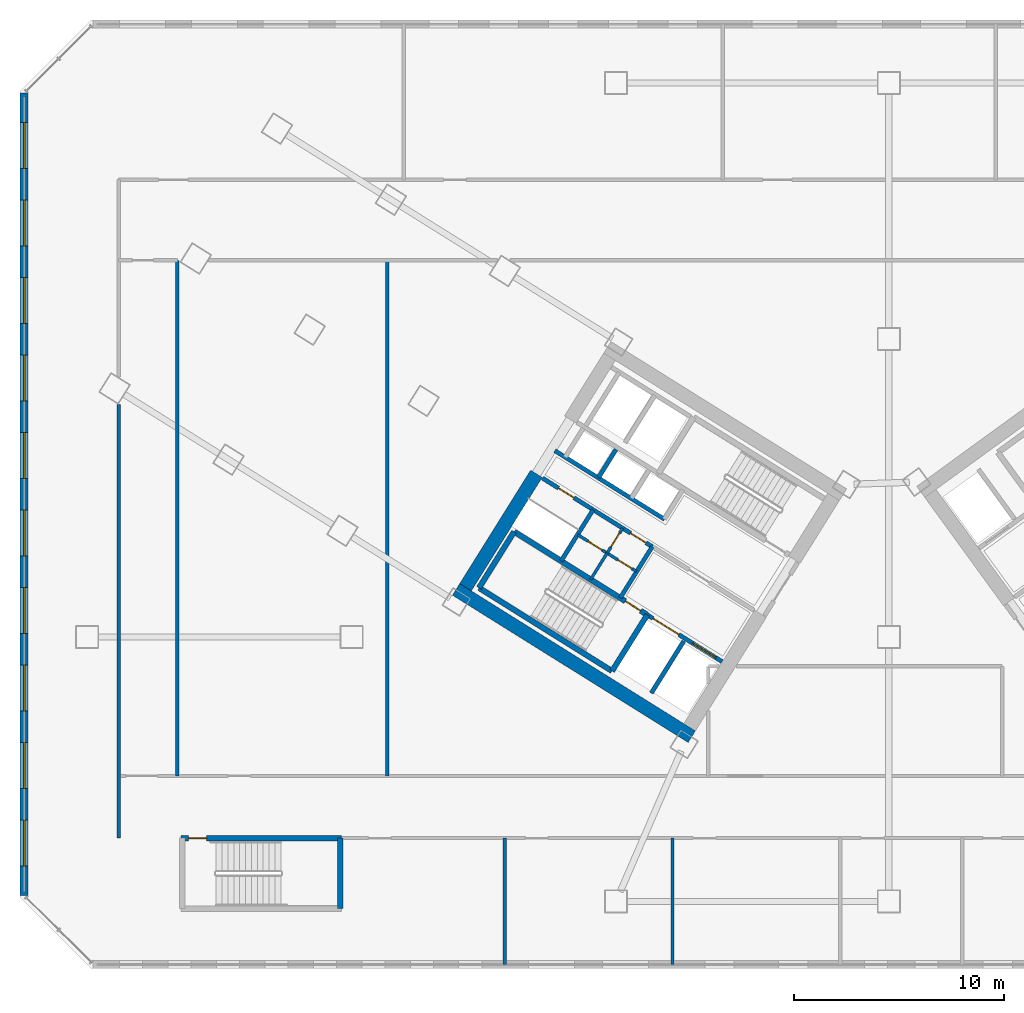
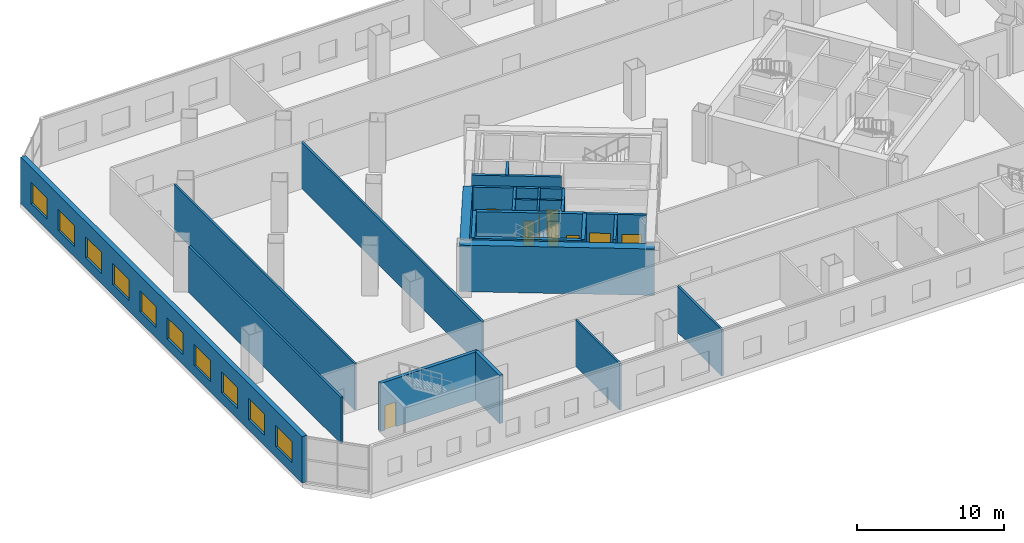
# One storey, part 10 of 22: 24 walls, 10 windows, 9 doors, 19 openings.
"""IFC4 building model written with IfcOpenShell, lengths in metres."""

from ifc_helpers import new_model, si_unit, direction, frame, frame_2d, origin, place, context, subcontext, project, spatial, rectangle, extrude, source, transform, mapped, material, layer, layer_set, type_object, element, fill, save


model = new_model("IFC4")

# Units and contexts
model_context = context("Model", 3, precision=1e-05, world=origin(), true_north=direction((0.0, 1.0)))
body_context = subcontext(model_context, "Body", "Model", "MODEL_VIEW")
ifc_project = project(units=[si_unit("LENGTHUNIT", "METRE"), si_unit("AREAUNIT", "SQUARE_METRE"), si_unit("VOLUMEUNIT", "CUBIC_METRE"), si_unit("PLANEANGLEUNIT", "RADIAN"), si_unit("MASSUNIT", "GRAM", prefix="KILO")], contexts=[model_context])

# Site, building, storey
site_placement = place(None, origin())
site = spatial("IfcSite", under=ifc_project, at=site_placement, CompositionType="ELEMENT")
building_placement = place(site_placement, origin())
building = spatial("IfcBuilding", under=site, at=building_placement, Name="Tlacorven Tower", CompositionType="ELEMENT")
storey_placement = place(building_placement, frame((0.0, 0.0, 14.39990234375)))
storey = spatial("IfcBuildingStorey", under=building, at=storey_placement, Name="L03", CompositionType="ELEMENT", Elevation=14.39990234375)

# Walls
ifc_material_1 = material(Name="Concrete C60/75", Category="concrete")
ifc_layer_1 = layer(ifc_material_1, 0.64990234375)
ifc_layer_set_1 = layer_set([ifc_layer_1], Name="Concrete C60/75")
wall_type_1 = type_object("IfcWallType", Name="WL-COR-650", PredefinedType="SHEAR", material=ifc_layer_set_1)
wall_1_placement = place(storey_placement, frame((33.40869140625, 12.449951171875, 0.0), z_axis=(0.0, 0.0, 1.0), x_axis=(-0.848051132073, 0.529914405721, 0.0)))
element("IfcWall", 1, at=wall_1_placement, inside=storey, type_object=wall_type_1, Name="L03 W core shear wall S2", PredefinedType="SHEAR", context=body_context, shape_type="SweptSolid", body=[
    extrude(rectangle(XDim=13.239990234375, YDim=0.64990234375, at=frame_2d((6.6201171875, 0.0))), origin(), (0.0, 0.0, 1.0), 3.85009765625),
])
wall_2_placement = place(storey_placement, frame((26.006591796875, 24.975830078125, 0.0), z_axis=(0.0, 0.0, 1.0), x_axis=(-0.529916319127, -0.848049936456, 0.0)))
element("IfcWall", 2, at=wall_2_placement, inside=storey, type_object=wall_type_1, Name="L03 W core end wall E2.2", PredefinedType="SHEAR", context=body_context, shape_type="SweptSolid", body=[
    extrude(rectangle(XDim=6.375, YDim=0.64990234375, at=frame_2d((3.1875, 0.0))), origin(), (0.0, 0.0, 1.0), 3.85009765625),
])
ifc_material_2 = material(Name="Gypsum plasterboard acoustic partition", Category="gypsum")
ifc_layer_2 = layer(ifc_material_2, 0.159912109375)
ifc_layer_set_2 = layer_set([ifc_layer_2], Name="Gypsum plasterboard acoustic partition")
wall_type_2 = type_object("IfcWallType", Name="WL-DEM-160", PredefinedType="PARTITIONING", material=ifc_layer_set_2)
for number, where, z_axis, x_axis, name in (
    (3, (24.489990234375, 1.60009765625, 0.0), (0.0, 0.0, 1.0), (0.0, 1.0, 0.0), "L03 partition 69"),
    (4, (32.489990234375, 1.60009765625, 0.0), (0.0, 0.0, 1.0), (0.0, 1.0, 0.0), "L03 partition 70"),
):
    element("IfcWall", number, at=place(storey_placement, frame(where, z_axis=z_axis, x_axis=x_axis)), inside=storey, type_object=wall_type_2, Name=name, PredefinedType="PARTITIONING", context=body_context, shape_type="SweptSolid", body=[
        extrude(rectangle(XDim=6.02001953125, YDim=0.159912109375, at=frame_2d((3.010009765625, 0.0))), origin(), (0.0, 0.0, 1.0), 3.840087890625),
    ])
wall_3_placement = place(storey_placement, frame((6.10009765625, 7.6201171875, 0.0), z_axis=(0.0, 0.0, 1.0), x_axis=(0.0, 1.0, 0.0)))
element("IfcWall", 5, at=wall_3_placement, inside=storey, type_object=wall_type_2, Name="L03 partition 75", PredefinedType="PARTITIONING", context=body_context, shape_type="SweptSolid", body=[
    extrude(rectangle(XDim=20.669921875, YDim=0.159912109375, at=frame_2d((10.3349609375, 0.0))), origin(), (0.0, 0.0, 1.0), 3.840087890625),
])
for number, where, z_axis, x_axis, name in (
    (6, (8.89990234375, 10.580078125, 0.0), (0.0, 0.0, 1.0), (0.0, 1.0, 0.0), "L03 partition 76"),
    (7, (18.89990234375, 10.580078125, 0.0), (0.0, 0.0, 1.0), (0.0, 1.0, 0.0), "L03 partition 84"),
):
    element("IfcWall", number, at=place(storey_placement, frame(where, z_axis=z_axis, x_axis=x_axis)), inside=storey, type_object=wall_type_2, Name=name, PredefinedType="PARTITIONING", context=body_context, shape_type="SweptSolid", body=[
        extrude(rectangle(XDim=24.56982421875, YDim=0.159912109375, at=frame_2d((12.284912109375, 0.0))), origin(), (0.0, 0.0, 1.0), 3.840087890625),
    ])

# Wall, openings, windows
ifc_material_3 = material(Name="Precast concrete C45/55", Category="concrete")
ifc_layer_3 = layer(ifc_material_3, 0.3798828125)
ifc_layer_set_3 = layer_set([ifc_layer_3], Name="Precast concrete C45/55")
wall_type_3 = type_object("IfcWallType", Name="WL-EXT-380", PredefinedType="STANDARD", material=ifc_layer_set_3)
wall_4_placement = place(storey_placement, frame((1.60009765625, 4.8828125, 0.0), z_axis=(0.0, 0.0, 1.0), x_axis=(0.0, 1.0, 0.0)))
wall_4 = element("IfcWall", 8, at=wall_4_placement, inside=storey, type_object=wall_type_3, Name="L03 Podium Masonry-Frame Facade Wall 2", PredefinedType="STANDARD", context=body_context, shape_type="SweptSolid", body=[
    extrude(rectangle(XDim=38.234375, YDim=0.3798828125, at=frame_2d((19.1171875, 0.0))), origin(), (0.0, 0.0, 1.0), 3.85009765625),
])
opening_1_placement = place(wall_4_placement, frame((1.396728515625, 0.0, 0.85009765625)))
opening_1 = element("IfcOpeningElement", 9, at=opening_1_placement, cuts=wall_4, Name="Opening WN14", PredefinedType="OPENING", context=body_context, shape_type="SweptSolid", body=[
    extrude(rectangle(XDim=2.199951171875, YDim=1.75, at=frame_2d((1.10009765625, 0.875))), frame((0.0, 0.199951171875, 0.0), z_axis=(0.0, -1.0, 0.0), x_axis=(1.0, 0.0, 0.0)), (0.0, 0.0, 1.0), 0.39990234375),
])
opening_2_placement = place(wall_4_placement, frame((5.090087890625, 0.0, 0.85009765625)))
opening_2 = element("IfcOpeningElement", 10, at=opening_2_placement, cuts=wall_4, Name="Opening WN14", PredefinedType="OPENING", context=body_context, shape_type="SweptSolid", body=[
    extrude(rectangle(XDim=2.199951171875, YDim=1.75, at=frame_2d((1.10009765625, 0.875))), frame((0.0, 0.199951171875, 0.0), z_axis=(0.0, -1.0, 0.0), x_axis=(1.0, 0.0, 0.0)), (0.0, 0.0, 1.0), 0.39990234375),
])
opening_3_placement = place(wall_4_placement, frame((8.78369140625, 0.0, 0.85009765625)))
opening_3 = element("IfcOpeningElement", 11, at=opening_3_placement, cuts=wall_4, Name="Opening WN14", PredefinedType="OPENING", context=body_context, shape_type="SweptSolid", body=[
    extrude(rectangle(XDim=2.199951171875, YDim=1.75, at=frame_2d((1.10009765625, 0.875))), frame((0.0, 0.199951171875, 0.0), z_axis=(0.0, -1.0, 0.0), x_axis=(1.0, 0.0, 0.0)), (0.0, 0.0, 1.0), 0.39990234375),
])
opening_4_placement = place(wall_4_placement, frame((12.47705078125, 0.0, 0.85009765625)))
opening_4 = element("IfcOpeningElement", 12, at=opening_4_placement, cuts=wall_4, Name="Opening WN14", PredefinedType="OPENING", context=body_context, shape_type="SweptSolid", body=[
    extrude(rectangle(XDim=2.199951171875, YDim=1.75, at=frame_2d((1.10009765625, 0.875))), frame((0.0, 0.199951171875, 0.0), z_axis=(0.0, -1.0, 0.0), x_axis=(1.0, 0.0, 0.0)), (0.0, 0.0, 1.0), 0.39990234375),
])
opening_5_placement = place(wall_4_placement, frame((16.17041015625, 0.0, 0.85009765625)))
opening_5 = element("IfcOpeningElement", 13, at=opening_5_placement, cuts=wall_4, Name="Opening WN14", PredefinedType="OPENING", context=body_context, shape_type="SweptSolid", body=[
    extrude(rectangle(XDim=2.199951171875, YDim=1.75, at=frame_2d((1.10009765625, 0.875))), frame((0.0, 0.199951171875, 0.0), z_axis=(0.0, -1.0, 0.0), x_axis=(1.0, 0.0, 0.0)), (0.0, 0.0, 1.0), 0.39990234375),
])
opening_6_placement = place(wall_4_placement, frame((19.864013671875, 0.0, 0.85009765625)))
opening_6 = element("IfcOpeningElement", 14, at=opening_6_placement, cuts=wall_4, Name="Opening WN14", PredefinedType="OPENING", context=body_context, shape_type="SweptSolid", body=[
    extrude(rectangle(XDim=2.199951171875, YDim=1.75, at=frame_2d((1.10009765625, 0.875))), frame((0.0, 0.199951171875, 0.0), z_axis=(0.0, -1.0, 0.0), x_axis=(1.0, 0.0, 0.0)), (0.0, 0.0, 1.0), 0.39990234375),
])
opening_7_placement = place(wall_4_placement, frame((23.557373046875, 0.0, 0.85009765625)))
opening_7 = element("IfcOpeningElement", 15, at=opening_7_placement, cuts=wall_4, Name="Opening WN14", PredefinedType="OPENING", context=body_context, shape_type="SweptSolid", body=[
    extrude(rectangle(XDim=2.199951171875, YDim=1.75, at=frame_2d((1.10009765625, 0.875))), frame((0.0, 0.199951171875, 0.0), z_axis=(0.0, -1.0, 0.0), x_axis=(1.0, 0.0, 0.0)), (0.0, 0.0, 1.0), 0.39990234375),
])
opening_8_placement = place(wall_4_placement, frame((27.250732421875, 0.0, 0.85009765625)))
opening_8 = element("IfcOpeningElement", 16, at=opening_8_placement, cuts=wall_4, Name="Opening WN14", PredefinedType="OPENING", context=body_context, shape_type="SweptSolid", body=[
    extrude(rectangle(XDim=2.199951171875, YDim=1.75, at=frame_2d((1.10009765625, 0.875))), frame((0.0, 0.199951171875, 0.0), z_axis=(0.0, -1.0, 0.0), x_axis=(1.0, 0.0, 0.0)), (0.0, 0.0, 1.0), 0.39990234375),
])
opening_9_placement = place(wall_4_placement, frame((30.944091796875, 0.0, 0.85009765625)))
opening_9 = element("IfcOpeningElement", 17, at=opening_9_placement, cuts=wall_4, Name="Opening WN14", PredefinedType="OPENING", context=body_context, shape_type="SweptSolid", body=[
    extrude(rectangle(XDim=2.199951171875, YDim=1.75, at=frame_2d((1.10009765625, 0.875))), frame((0.0, 0.199951171875, 0.0), z_axis=(0.0, -1.0, 0.0), x_axis=(1.0, 0.0, 0.0)), (0.0, 0.0, 1.0), 0.39990234375),
])
opening_10_placement = place(wall_4_placement, frame((34.6376953125, 0.0, 0.85009765625)))
opening_10 = element("IfcOpeningElement", 18, at=opening_10_placement, cuts=wall_4, Name="Opening WN14", PredefinedType="OPENING", context=body_context, shape_type="SweptSolid", body=[
    extrude(rectangle(XDim=2.199951171875, YDim=1.75, at=frame_2d((1.10009765625, 0.875))), frame((0.0, 0.199951171875, 0.0), z_axis=(0.0, -1.0, 0.0), x_axis=(1.0, 0.0, 0.0)), (0.0, 0.0, 1.0), 0.39990234375),
])
ifc_material_4 = material(Name="Dark solar low-E double glazing in anodised aluminium frame", Category="aluminium")
window_type = type_object("IfcWindowType", Name="WN-CLN-2200X1850", PartitioningType="SINGLE_PANEL", PredefinedType="WINDOW", material=ifc_material_4)
shared_shape_1 = source(origin(), body_context, "Body", "SweptSolid", [
    extrude(rectangle(XDim=2.199951171875, YDim=1.75, at=frame_2d((1.10009765625, 0.875))), frame((0.0, 0.030029296875, 0.0), z_axis=(0.0, -1.0, 0.0), x_axis=(1.0, 0.0, 0.0)), (0.0, 0.0, 1.0), 0.06005859375),
])
window_1_placement = place(opening_1_placement, origin())
window_1 = element("IfcWindow", 19, at=window_1_placement, inside=storey, type_object=window_type, Name="L03 Podium Recessed Facade Window 2.1", OverallHeight=1.75, OverallWidth=2.199951171875, PartitioningType="SINGLE_PANEL", PredefinedType="WINDOW", context=body_context, shape_type="MappedRepresentation", body=[
    mapped(shared_shape_1, transform((0.0, 0.0, 0.0), scale=1.0)),
])
fill(opening_1, window_1)
window_2_placement = place(opening_2_placement, origin())
window_2 = element("IfcWindow", 20, at=window_2_placement, inside=storey, type_object=window_type, Name="L03 Podium Recessed Facade Window 2.2", OverallHeight=1.75, OverallWidth=2.199951171875, PartitioningType="SINGLE_PANEL", PredefinedType="WINDOW", context=body_context, shape_type="MappedRepresentation", body=[
    mapped(shared_shape_1, transform((0.0, 0.0, 0.0), scale=1.0)),
])
fill(opening_2, window_2)
window_3_placement = place(opening_3_placement, origin())
window_3 = element("IfcWindow", 21, at=window_3_placement, inside=storey, type_object=window_type, Name="L03 Podium Recessed Facade Window 2.3", OverallHeight=1.75, OverallWidth=2.199951171875, PartitioningType="SINGLE_PANEL", PredefinedType="WINDOW", context=body_context, shape_type="MappedRepresentation", body=[
    mapped(shared_shape_1, transform((0.0, 0.0, 0.0), scale=1.0)),
])
fill(opening_3, window_3)
window_4_placement = place(opening_4_placement, origin())
window_4 = element("IfcWindow", 22, at=window_4_placement, inside=storey, type_object=window_type, Name="L03 Podium Recessed Facade Window 2.4", OverallHeight=1.75, OverallWidth=2.199951171875, PartitioningType="SINGLE_PANEL", PredefinedType="WINDOW", context=body_context, shape_type="MappedRepresentation", body=[
    mapped(shared_shape_1, transform((0.0, 0.0, 0.0), scale=1.0)),
])
fill(opening_4, window_4)
window_5_placement = place(opening_5_placement, origin())
window_5 = element("IfcWindow", 23, at=window_5_placement, inside=storey, type_object=window_type, Name="L03 Podium Recessed Facade Window 2.5", OverallHeight=1.75, OverallWidth=2.199951171875, PartitioningType="SINGLE_PANEL", PredefinedType="WINDOW", context=body_context, shape_type="MappedRepresentation", body=[
    mapped(shared_shape_1, transform((0.0, 0.0, 0.0), scale=1.0)),
])
fill(opening_5, window_5)
window_6_placement = place(opening_6_placement, origin())
window_6 = element("IfcWindow", 24, at=window_6_placement, inside=storey, type_object=window_type, Name="L03 Podium Recessed Facade Window 2.6", OverallHeight=1.75, OverallWidth=2.199951171875, PartitioningType="SINGLE_PANEL", PredefinedType="WINDOW", context=body_context, shape_type="MappedRepresentation", body=[
    mapped(shared_shape_1, transform((0.0, 0.0, 0.0), scale=1.0)),
])
fill(opening_6, window_6)
window_7_placement = place(opening_7_placement, origin())
window_7 = element("IfcWindow", 25, at=window_7_placement, inside=storey, type_object=window_type, Name="L03 Podium Recessed Facade Window 2.7", OverallHeight=1.75, OverallWidth=2.199951171875, PartitioningType="SINGLE_PANEL", PredefinedType="WINDOW", context=body_context, shape_type="MappedRepresentation", body=[
    mapped(shared_shape_1, transform((0.0, 0.0, 0.0), scale=1.0)),
])
fill(opening_7, window_7)
window_8_placement = place(opening_8_placement, origin())
window_8 = element("IfcWindow", 26, at=window_8_placement, inside=storey, type_object=window_type, Name="L03 Podium Recessed Facade Window 2.8", OverallHeight=1.75, OverallWidth=2.199951171875, PartitioningType="SINGLE_PANEL", PredefinedType="WINDOW", context=body_context, shape_type="MappedRepresentation", body=[
    mapped(shared_shape_1, transform((0.0, 0.0, 0.0), scale=1.0)),
])
fill(opening_8, window_8)
window_9_placement = place(opening_9_placement, origin())
window_9 = element("IfcWindow", 27, at=window_9_placement, inside=storey, type_object=window_type, Name="L03 Podium Recessed Facade Window 2.9", OverallHeight=1.75, OverallWidth=2.199951171875, PartitioningType="SINGLE_PANEL", PredefinedType="WINDOW", context=body_context, shape_type="MappedRepresentation", body=[
    mapped(shared_shape_1, transform((0.0, 0.0, 0.0), scale=1.0)),
])
fill(opening_9, window_9)
window_10_placement = place(opening_10_placement, origin())
window_10 = element("IfcWindow", 28, at=window_10_placement, inside=storey, type_object=window_type, Name="L03 Podium Recessed Facade Window 2.10", OverallHeight=1.75, OverallWidth=2.199951171875, PartitioningType="SINGLE_PANEL", PredefinedType="WINDOW", context=body_context, shape_type="MappedRepresentation", body=[
    mapped(shared_shape_1, transform((0.0, 0.0, 0.0), scale=1.0)),
])
fill(opening_10, window_10)

# Wall, opening, door
ifc_material_5 = material(Name="Moisture-resistant gypsum plumbing wall", Category="gypsum")
ifc_layer_4 = layer(ifc_material_5, 0.139892578125)
ifc_layer_set_4 = layer_set([ifc_layer_4], Name="Moisture-resistant gypsum plumbing wall")
wall_type_4 = type_object("IfcWallType", Name="WL-PLM-140", PredefinedType="PLUMBINGWALL", material=ifc_layer_set_4)
wall_5_placement = place(storey_placement, frame((30.117431640625, 22.383544921875, 0.0), z_axis=(0.0, 0.0, 1.0), x_axis=(-0.529951914384, -0.848027693204, 0.0)))
wall_5 = element("IfcWall", 29, at=wall_5_placement, inside=storey, type_object=wall_type_4, Name="L03 partition 26", PredefinedType="PLUMBINGWALL", context=body_context, shape_type="SweptSolid", body=[
    extrude(rectangle(XDim=1.39990234375, YDim=0.139892578125, at=frame_2d((0.699951171875, 0.0))), origin(), (0.0, 0.0, 1.0), 3.840087890625),
])
opening_11_placement = place(wall_5_placement, frame((0.280029296875, 0.0, 0.0)))
opening_11 = element("IfcOpeningElement", 30, at=opening_11_placement, cuts=wall_5, Name="Opening D22", PredefinedType="OPENING", context=body_context, shape_type="SweptSolid", body=[
    extrude(rectangle(XDim=0.780029296875, YDim=2.050048828125, at=frame_2d((0.39013671875, 1.02490234375))), frame((0.0, 0.080078125, 0.0), z_axis=(0.0, -1.0, 0.0), x_axis=(1.0, 0.0, 0.0)), (0.0, 0.0, 1.0), 0.159912109375),
])
ifc_material_6 = material(Name="Powder-coated aluminium and timber door", Category="wood")
door_type_1 = type_object("IfcDoorType", Name="DR-INT-WET-0780", OperationType="NOTDEFINED", PredefinedType="DOOR", material=ifc_material_6)
shared_shape_2 = source(origin(), body_context, "Body", "SweptSolid", [
    extrude(rectangle(XDim=0.780029296875, YDim=2.050048828125, at=frame_2d((0.39013671875, 1.02490234375))), frame((0.0, 0.02490234375, 0.0), z_axis=(0.0, -1.0, 0.0), x_axis=(1.0, 0.0, 0.0)), (0.0, 0.0, 1.0), 0.050048828125),
])
door_1_placement = place(opening_11_placement, origin())
door_1 = element("IfcDoor", 31, at=door_1_placement, inside=storey, type_object=door_type_1, Name="L03 door 008", OperationType="SINGLE_SWING_RIGHT", OverallHeight=2.050048828125, OverallWidth=0.780029296875, PredefinedType="DOOR", context=body_context, shape_type="MappedRepresentation", body=[
    mapped(shared_shape_2, transform((0.0, 0.0, 0.0), scale=1.0)),
])
fill(opening_11, door_1)

# Wall
wall_6_placement = place(storey_placement, frame((29.37548828125, 21.1962890625, 0.0), z_axis=(0.0, 0.0, 1.0), x_axis=(-0.529865479138, -0.848081702443, 0.0)))
element("IfcWall", 32, at=wall_6_placement, inside=storey, type_object=wall_type_4, Name="L03 partition 27", PredefinedType="PLUMBINGWALL", context=body_context, shape_type="SweptSolid", body=[
    extrude(rectangle(XDim=1.47998046875, YDim=0.139892578125, at=frame_2d((0.739990234375, 0.0))), origin(), (0.0, 0.0, 1.0), 3.840087890625),
])

# Wall, openings, doors
wall_7_placement = place(storey_placement, frame((30.766357421875, 20.3271484375, 0.0), z_axis=(0.0, 0.0, 1.0), x_axis=(-0.848052663127, 0.529911955482, 0.0)))
wall_7 = element("IfcWall", 33, at=wall_7_placement, inside=storey, type_object=wall_type_4, Name="L03 partition 28", PredefinedType="PLUMBINGWALL", context=body_context, shape_type="SweptSolid", body=[
    extrude(rectangle(XDim=3.27978515625, YDim=0.139892578125, at=frame_2d((1.639892578125, 0.0))), origin(), (0.0, 0.0, 1.0), 3.840087890625),
])
opening_12_placement = place(wall_7_placement, frame((0.25, 0.0, 0.0)))
opening_12 = element("IfcOpeningElement", 34, at=opening_12_placement, cuts=wall_7, Name="Opening D22", PredefinedType="OPENING", context=body_context, shape_type="SweptSolid", body=[
    extrude(rectangle(XDim=0.780029296875, YDim=2.050048828125, at=frame_2d((0.39013671875, 1.02490234375))), frame((0.0, 0.080078125, 0.0), z_axis=(0.0, -1.0, 0.0), x_axis=(1.0, 0.0, 0.0)), (0.0, 0.0, 1.0), 0.159912109375),
])
opening_13_placement = place(wall_7_placement, frame((1.919921875, 0.0, 0.0)))
opening_13 = element("IfcOpeningElement", 35, at=opening_13_placement, cuts=wall_7, Name="Opening D22", PredefinedType="OPENING", context=body_context, shape_type="SweptSolid", body=[
    extrude(rectangle(XDim=0.780029296875, YDim=2.050048828125, at=frame_2d((0.39013671875, 1.02490234375))), frame((0.0, 0.080078125, 0.0), z_axis=(0.0, -1.0, 0.0), x_axis=(1.0, 0.0, 0.0)), (0.0, 0.0, 1.0), 0.159912109375),
])
door_2_placement = place(opening_12_placement, origin())
door_2 = element("IfcDoor", 36, at=door_2_placement, inside=storey, type_object=door_type_1, Name="L03 door 009", OperationType="SINGLE_SWING_LEFT", OverallHeight=2.050048828125, OverallWidth=0.780029296875, PredefinedType="DOOR", context=body_context, shape_type="MappedRepresentation", body=[
    mapped(shared_shape_2, transform((0.0, 0.0, 0.0), scale=1.0)),
])
fill(opening_12, door_2)
door_3_placement = place(opening_13_placement, origin())
door_3 = element("IfcDoor", 37, at=door_3_placement, inside=storey, type_object=door_type_1, Name="L03 door 010", OperationType="SINGLE_SWING_RIGHT", OverallHeight=2.050048828125, OverallWidth=0.780029296875, PredefinedType="DOOR", context=body_context, shape_type="MappedRepresentation", body=[
    mapped(shared_shape_2, transform((0.0, 0.0, 0.0), scale=1.0)),
])
fill(opening_13, door_3)

ifc_material_7 = material(Name="Concrete C40/50", Category="concrete")
ifc_layer_5 = layer(ifc_material_7, 0.199951171875)
ifc_layer_set_5 = layer_set([ifc_layer_5], Name="Concrete C40/50")
wall_type_5 = type_object("IfcWallType", Name="WL-SHF-200", PredefinedType="STANDARD", material=ifc_layer_set_5)
wall_8_placement = place(storey_placement, frame((34.84814453125, 16.03125, 0.0), z_axis=(0.0, 0.0, 1.0), x_axis=(-0.848044042236, 0.529925751807, 0.0)))
wall_8 = element("IfcWall", 38, at=wall_8_placement, inside=storey, type_object=wall_type_5, Name="L03 Core W Firefighting Lift Shaft Front Wall", PredefinedType="STANDARD", context=body_context, shape_type="SweptSolid", body=[
    extrude(rectangle(XDim=4.197998046875, YDim=0.199951171875, at=frame_2d((2.09912109375, 0.0))), origin(), (0.0, 0.0, 1.0), 3.840087890625),
])
opening_14_placement = place(wall_8_placement, frame((0.347900390625, 0.0, 0.0)))
opening_14 = element("IfcOpeningElement", 39, at=opening_14_placement, cuts=wall_8, Name="Opening LD03", PredefinedType="OPENING", context=body_context, shape_type="SweptSolid", body=[
    extrude(rectangle(XDim=1.300048828125, YDim=2.199951171875, at=frame_2d((0.64990234375, 1.10009765625))), frame((0.0, 0.10986328125, 0.0), z_axis=(0.0, -1.0, 0.0), x_axis=(1.0, 0.0, 0.0)), (0.0, 0.0, 1.0), 0.219970703125),
])
opening_15_placement = place(wall_8_placement, frame((2.423095703125, 0.0, 0.0)))
opening_15 = element("IfcOpeningElement", 40, at=opening_15_placement, cuts=wall_8, Name="Opening LD04", PredefinedType="OPENING", context=body_context, shape_type="SweptSolid", body=[
    extrude(rectangle(XDim=1.449951171875, YDim=2.25, at=frame_2d((0.72509765625, 1.125))), frame((0.0, 0.10986328125, 0.0), z_axis=(0.0, -1.0, 0.0), x_axis=(1.0, 0.0, 0.0)), (0.0, 0.0, 1.0), 0.219970703125),
])
ifc_material_8 = material(Name="Fire-rated steel door assembly", Category="steel")
door_type_2 = type_object("IfcDoorType", Name="DR-LFT-SLID-1300", OperationType="DOUBLE_DOOR_SLIDING", PredefinedType="DOOR", material=ifc_material_8)
shared_shape_3 = source(origin(), body_context, "Body", "SweptSolid", [
    extrude(rectangle(XDim=1.300048828125, YDim=2.199951171875, at=frame_2d((0.64990234375, 1.10009765625))), frame((0.0, 0.02490234375, 0.0), z_axis=(0.0, -1.0, 0.0), x_axis=(1.0, 0.0, 0.0)), (0.0, 0.0, 1.0), 0.050048828125),
])
door_4_placement = place(opening_14_placement, origin())
door_4 = element("IfcDoor", 41, at=door_4_placement, inside=storey, type_object=door_type_2, Name="L03 Lift FFL-W1 Sliding Landing Door", OperationType="DOUBLE_DOOR_SLIDING", OverallHeight=2.199951171875, OverallWidth=1.300048828125, PredefinedType="DOOR", context=body_context, shape_type="MappedRepresentation", body=[
    mapped(shared_shape_3, transform((0.0, 0.0, 0.0), scale=1.0)),
])
fill(opening_14, door_4)
door_type_3 = type_object("IfcDoorType", Name="DR-LFT-SLID-1450", OperationType="DOUBLE_DOOR_SLIDING", PredefinedType="DOOR", material=ifc_material_8)
shared_shape_4 = source(origin(), body_context, "Body", "SweptSolid", [
    extrude(rectangle(XDim=1.449951171875, YDim=2.25, at=frame_2d((0.72509765625, 1.125))), frame((0.0, 0.02490234375, 0.0), z_axis=(0.0, -1.0, 0.0), x_axis=(1.0, 0.0, 0.0)), (0.0, 0.0, 1.0), 0.050048828125),
])
door_5_placement = place(opening_15_placement, origin())
door_5 = element("IfcDoor", 42, at=door_5_placement, inside=storey, type_object=door_type_3, Name="L03 Lift SVL-W1 Sliding Landing Door", OperationType="DOUBLE_DOOR_SLIDING", OverallHeight=2.25, OverallWidth=1.449951171875, PredefinedType="DOOR", context=body_context, shape_type="MappedRepresentation", body=[
    mapped(shared_shape_4, transform((0.0, 0.0, 0.0), scale=1.0)),
])
fill(opening_15, door_5)

# Walls
wall_9_placement = place(storey_placement, frame((32.108154296875, 22.81396484375, 0.0), z_axis=(0.0, 0.0, 1.0), x_axis=(-0.848047283855, 0.529920564185, 0.0)))
element("IfcWall", 43, at=wall_9_placement, inside=storey, type_object=wall_type_5, Name="L03 partition 11", PredefinedType="STANDARD", context=body_context, shape_type="SweptSolid", body=[
    extrude(rectangle(XDim=6.16015625, YDim=0.199951171875, at=frame_2d((3.080078125, 0.0))), origin(), (0.0, 0.0, 1.0), 3.840087890625),
])
wall_10_placement = place(storey_placement, frame((33.02880859375, 17.003173828125, 0.0), z_axis=(0.0, 0.0, 1.0), x_axis=(-0.529916267533, -0.848049968695, 0.0)))
element("IfcWall", 44, at=wall_10_placement, inside=storey, type_object=wall_type_5, Name="L03 partition 13", PredefinedType="STANDARD", context=body_context, shape_type="SweptSolid", body=[
    extrude(rectangle(XDim=2.919921875, YDim=0.199951171875, at=frame_2d((1.4599609375, 0.0))), origin(), (0.0, 0.0, 1.0), 3.840087890625),
])
wall_11_placement = place(storey_placement, frame((29.80126953125, 26.14208984375, 0.0), z_axis=(0.0, 0.0, 1.0), x_axis=(-0.529998940003, -0.847998304005, 0.0)))
element("IfcWall", 45, at=wall_11_placement, inside=storey, type_object=wall_type_5, Name="L03 partition 19", PredefinedType="STANDARD", context=body_context, shape_type="SweptSolid", body=[
    extrude(rectangle(XDim=1.580078125, YDim=0.199951171875, at=frame_2d((0.7900390625, 0.0))), origin(), (0.0, 0.0, 1.0), 3.840087890625),
])
for number, where, z_axis, x_axis, name in (
    (46, (31.525146484375, 21.503662109375, 0.0), (0.0, 0.0, 1.0), (-0.529907497854, -0.848055448493, 0.0), "L03 partition 21"),
    (47, (28.709716796875, 23.26318359375, 0.0), (0.0, 0.0, 1.0), (-0.529907497854, -0.848055448493, 0.0), "L03 partition 22"),
):
    element("IfcWall", number, at=place(storey_placement, frame(where, z_axis=z_axis, x_axis=x_axis)), inside=storey, type_object=wall_type_5, Name=name, PredefinedType="STANDARD", context=body_context, shape_type="SweptSolid", body=[
        extrude(rectangle(XDim=2.8798828125, YDim=0.199951171875, at=frame_2d((1.43994140625, 0.0))), origin(), (0.0, 0.0, 1.0), 3.840087890625),
    ])

# Wall, openings, doors
wall_12_placement = place(storey_placement, frame((31.525146484375, 21.503662109375, 0.0), z_axis=(0.0, 0.0, 1.0), x_axis=(-0.848044998614, 0.529924221305, 0.0)))
wall_12 = element("IfcWall", 48, at=wall_12_placement, inside=storey, type_object=wall_type_5, Name="L03 Core W North Service Wall", PredefinedType="STANDARD", context=body_context, shape_type="SweptSolid", body=[
    extrude(rectangle(XDim=6.16796875, YDim=0.199951171875, at=frame_2d((3.083984375, 0.0))), origin(), (0.0, 0.0, 1.0), 3.840087890625),
])
opening_16_placement = place(wall_12_placement, frame((4.39990234375, 0.0, 0.0)))
opening_16 = element("IfcOpeningElement", 49, at=opening_16_placement, cuts=wall_12, Name="Opening D19", PredefinedType="OPENING", context=body_context, shape_type="SweptSolid", body=[
    extrude(rectangle(XDim=0.860107421875, YDim=2.050048828125, at=frame_2d((0.43017578125, 1.02490234375))), frame((0.0, 0.10986328125, 0.0), z_axis=(0.0, -1.0, 0.0), x_axis=(1.0, 0.0, 0.0)), (0.0, 0.0, 1.0), 0.219970703125),
])
opening_17_placement = place(wall_12_placement, frame((0.35009765625, 0.0, 0.0)))
opening_17 = element("IfcOpeningElement", 50, at=opening_17_placement, cuts=wall_12, Name="Opening D19", PredefinedType="OPENING", context=body_context, shape_type="SweptSolid", body=[
    extrude(rectangle(XDim=0.860107421875, YDim=2.050048828125, at=frame_2d((0.43017578125, 1.02490234375))), frame((0.0, 0.10986328125, 0.0), z_axis=(0.0, -1.0, 0.0), x_axis=(1.0, 0.0, 0.0)), (0.0, 0.0, 1.0), 0.219970703125),
])
door_type_4 = type_object("IfcDoorType", Name="DR-RSR-FD60-0860", OperationType="NOTDEFINED", PredefinedType="DOOR", material=ifc_material_8)
shared_shape_5 = source(origin(), body_context, "Body", "SweptSolid", [
    extrude(rectangle(XDim=0.860107421875, YDim=2.050048828125, at=frame_2d((0.43017578125, 1.02490234375))), frame((0.0, 0.02490234375, 0.0), z_axis=(0.0, -1.0, 0.0), x_axis=(1.0, 0.0, 0.0)), (0.0, 0.0, 1.0), 0.050048828125),
])
door_6_placement = place(opening_16_placement, frame((0.860107421875, 0.0, 0.0), z_axis=(0.0, 0.0, 1.0), x_axis=(-1.0, 0.0, 0.0)))
door_6 = element("IfcDoor", 51, at=door_6_placement, inside=storey, type_object=door_type_4, Name="L03 Electrical Riser Access Door W", OperationType="SINGLE_SWING_RIGHT", OverallHeight=2.050048828125, OverallWidth=0.860107421875, PredefinedType="DOOR", context=body_context, shape_type="MappedRepresentation", body=[
    mapped(shared_shape_5, transform((0.0, 0.0, 0.0), scale=1.0)),
])
fill(opening_16, door_6)
door_7_placement = place(opening_17_placement, frame((0.860107421875, 0.0, 0.0), z_axis=(0.0, 0.0, 1.0), x_axis=(-1.0, 0.0, 0.0)))
door_7 = element("IfcDoor", 52, at=door_7_placement, inside=storey, type_object=door_type_4, Name="L03 Cleaning Room Access Door W", OperationType="SINGLE_SWING_LEFT", OverallHeight=2.050048828125, OverallWidth=0.860107421875, PredefinedType="DOOR", context=body_context, shape_type="MappedRepresentation", body=[
    mapped(shared_shape_5, transform((0.0, 0.0, 0.0), scale=1.0)),
])
fill(opening_17, door_7)

# Wall
ifc_material_9 = material(Name="Concrete C50/60", Category="concrete")
ifc_layer_6 = layer(ifc_material_9, 0.260009765625)
ifc_layer_set_6 = layer_set([ifc_layer_6], Name="Concrete C50/60")
wall_type_6 = type_object("IfcWallType", Name="WL-STW-260", PredefinedType="SHEAR", material=ifc_layer_set_6)
wall_13_placement = place(storey_placement, frame((29.60498046875, 15.581298828125, 0.0), z_axis=(0.0, 0.0, 1.0), x_axis=(-0.848036911448, 0.529937163087, 0.0)))
element("IfcWall", 53, at=wall_13_placement, inside=storey, type_object=wall_type_6, Name="L03 Stair W1 Far Shear Wall", PredefinedType="SHEAR", context=body_context, shape_type="SweptSolid", body=[
    extrude(rectangle(XDim=7.4599609375, YDim=0.260009765625, at=frame_2d((3.72998046875, 0.0))), origin(), (0.0, 0.0, 1.0), 3.85009765625),
])

# Wall, opening, door
wall_14_placement = place(storey_placement, frame((31.279541015625, 18.26123046875, 0.0), z_axis=(0.0, 0.0, 1.0), x_axis=(-0.848051618787, 0.529913626805, 0.0)))
wall_14 = element("IfcWall", 54, at=wall_14_placement, inside=storey, type_object=wall_type_6, Name="L03 Stair W1 Lobby Shear Wall", PredefinedType="SHEAR", context=body_context, shape_type="SweptSolid", body=[
    extrude(rectangle(XDim=7.4599609375, YDim=0.260009765625, at=frame_2d((3.72998046875, 0.0))), origin(), (0.0, 0.0, 1.0), 3.85009765625),
])
opening_18_placement = place(wall_14_placement, frame((0.360107421875, 0.0, 0.0)))
opening_18 = element("IfcOpeningElement", 55, at=opening_18_placement, cuts=wall_14, Name="Opening D19", PredefinedType="OPENING", context=body_context, shape_type="SweptSolid", body=[
    extrude(rectangle(XDim=0.860107421875, YDim=2.050048828125, at=frame_2d((0.43017578125, 1.02490234375))), frame((0.0, 0.14013671875, 0.0), z_axis=(0.0, -1.0, 0.0), x_axis=(1.0, 0.0, 0.0)), (0.0, 0.0, 1.0), 0.280029296875),
])
door_8_placement = place(opening_18_placement, frame((0.860107421875, 0.0, 0.0), z_axis=(0.0, 0.0, 1.0), x_axis=(-1.0, 0.0, 0.0)))
door_8 = element("IfcDoor", 56, at=door_8_placement, inside=storey, type_object=door_type_4, Name="L03 Exit Stair W1 Fire Door", OperationType="SINGLE_SWING_LEFT", OverallHeight=2.050048828125, OverallWidth=0.860107421875, PredefinedType="DOOR", context=body_context, shape_type="MappedRepresentation", body=[
    mapped(shared_shape_5, transform((0.0, 0.0, 0.0), scale=1.0)),
])
fill(opening_18, door_8)

# Walls
wall_15_placement = place(storey_placement, frame((31.2880859375, 18.255859375, 0.0), z_axis=(0.0, 0.0, 1.0), x_axis=(-0.529943379326, -0.848033026897, 0.0)))
element("IfcWall", 57, at=wall_15_placement, inside=storey, type_object=wall_type_6, Name="L03 Stair W1 West Shear Wall", PredefinedType="SHEAR", context=body_context, shape_type="SweptSolid", body=[
    extrude(rectangle(XDim=3.159912109375, YDim=0.260009765625, at=frame_2d((1.580078125, 0.0))), origin(), (0.0, 0.0, 1.0), 3.85009765625),
])
wall_16_placement = place(storey_placement, frame((24.944580078125, 22.2197265625, 0.0), z_axis=(0.0, 0.0, 1.0), x_axis=(-0.529908658664, -0.84805472316, 0.0)))
element("IfcWall", 58, at=wall_16_placement, inside=storey, type_object=wall_type_6, Name="L03 Stair W1 East Shear Wall", PredefinedType="SHEAR", context=body_context, shape_type="SweptSolid", body=[
    extrude(rectangle(XDim=3.16015625, YDim=0.260009765625, at=frame_2d((1.580078125, 0.0))), origin(), (0.0, 0.0, 1.0), 3.85009765625),
])

# Wall, opening, door
wall_17_placement = place(storey_placement, frame((9.070068359375, 7.6201171875, 0.0), z_axis=(0.0, 0.0, 1.0), x_axis=(1.0, 0.0, 0.0)))
wall_17 = element("IfcWall", 59, at=wall_17_placement, inside=storey, type_object=wall_type_6, Name="L03 Stair P1 North Wall", PredefinedType="SHEAR", context=body_context, shape_type="SweptSolid", body=[
    extrude(rectangle(XDim=7.659912109375, YDim=0.260009765625, at=frame_2d((3.830078125, 0.0))), origin(), (0.0, 0.0, 1.0), 4.0),
])
opening_19_placement = place(wall_17_placement, frame((0.360107421875, 0.0, 0.0)))
opening_19 = element("IfcOpeningElement", 60, at=opening_19_placement, cuts=wall_17, Name="Opening D19", PredefinedType="OPENING", context=body_context, shape_type="SweptSolid", body=[
    extrude(rectangle(XDim=0.860107421875, YDim=2.050048828125, at=frame_2d((0.43017578125, 1.02490234375))), frame((0.0, 0.14013671875, 0.0), z_axis=(0.0, -1.0, 0.0), x_axis=(1.0, 0.0, 0.0)), (0.0, 0.0, 1.0), 0.280029296875),
])
door_9_placement = place(opening_19_placement, origin())
door_9 = element("IfcDoor", 61, at=door_9_placement, inside=storey, type_object=door_type_4, Name="L03 door 021", OperationType="SINGLE_SWING_LEFT", OverallHeight=2.050048828125, OverallWidth=0.860107421875, PredefinedType="DOOR", context=body_context, shape_type="MappedRepresentation", body=[
    mapped(shared_shape_5, transform((0.0, 0.0, 0.0), scale=1.0)),
])
fill(opening_19, door_9)

# Wall
wall_18_placement = place(storey_placement, frame((16.659912109375, 4.260009765625, 0.0), z_axis=(0.0, 0.0, 1.0), x_axis=(0.0, 1.0, 0.0)))
element("IfcWall", 62, at=wall_18_placement, inside=storey, type_object=wall_type_6, Name="L03 Stair P1 East Wall", PredefinedType="SHEAR", context=body_context, shape_type="SweptSolid", body=[
    extrude(rectangle(XDim=3.360107421875, YDim=0.260009765625, at=frame_2d((1.68017578125, 0.0))), origin(), (0.0, 0.0, 1.0), 4.0),
])

save(model, "model.ifc")
